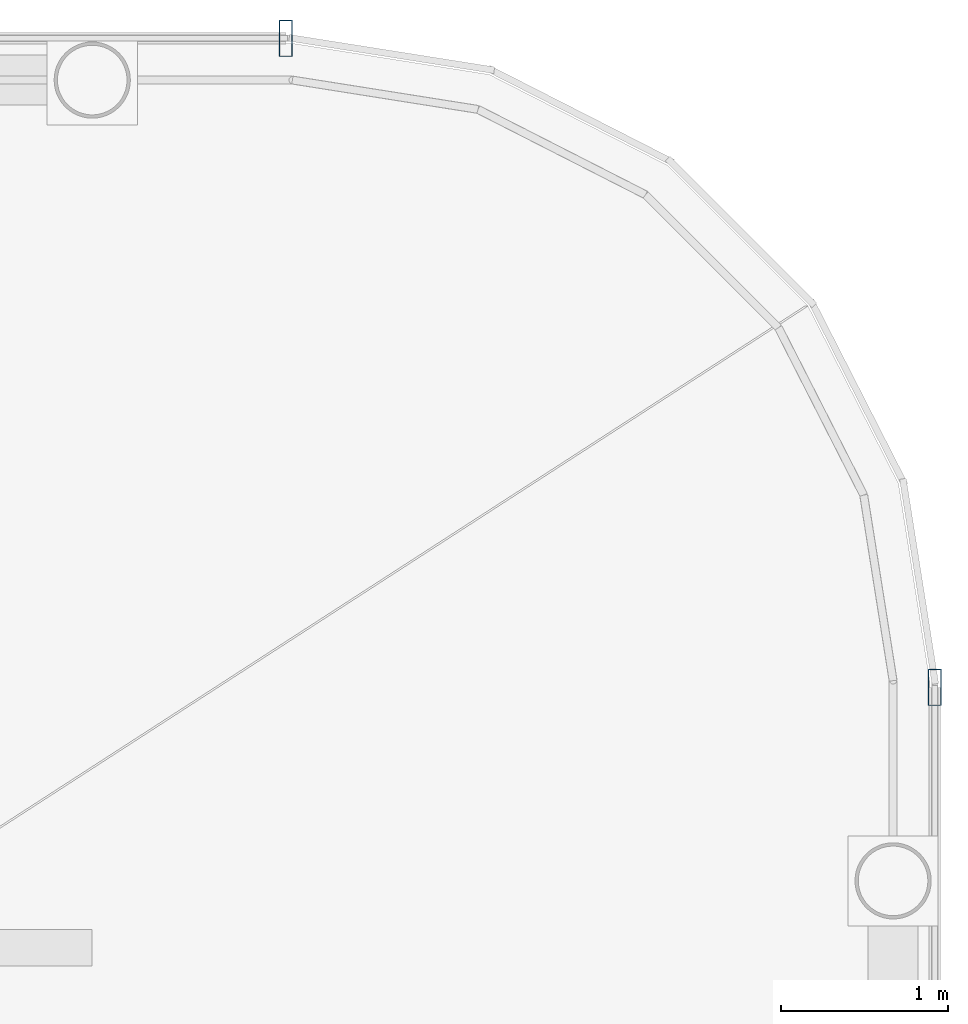
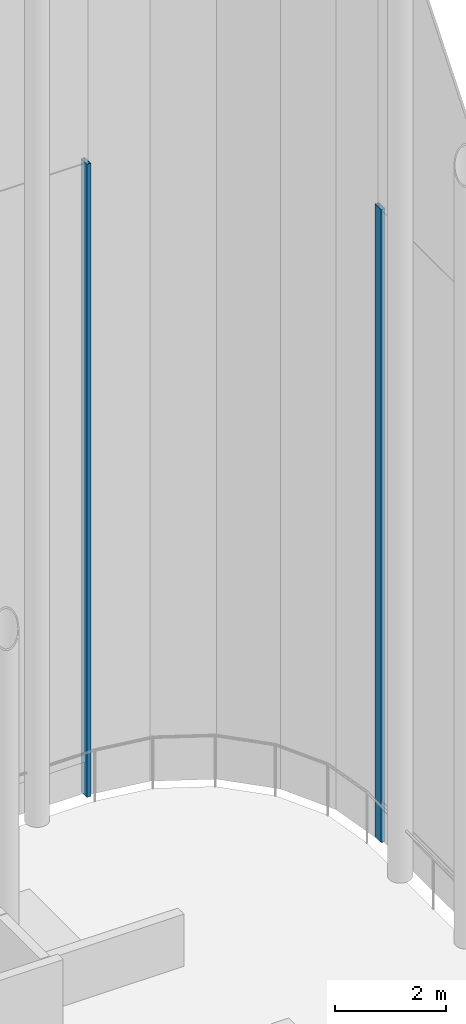
# One storey, part 34 of 42: 2 members, 2 elements without a shape of their own.
"""IFC4 building model written with IfcOpenShell, lengths in metres."""

from ifc_helpers import new_model, si_unit, direction, frame, origin, origin_2d, place, context, subcontext, project, spatial, hollow_rectangle, extrude, material, layer, layer_set, material_profile, profile_set, type_object, element, aggregate, save


model = new_model("IFC4")

# Units and contexts
model_context = context("Model", 3, precision=1e-05, world=origin(), true_north=direction((0.0, 1.0)))
body_context = subcontext(model_context, "Body", "Model", "MODEL_VIEW")
ifc_project = project(units=[si_unit("LENGTHUNIT", "METRE"), si_unit("AREAUNIT", "SQUARE_METRE"), si_unit("VOLUMEUNIT", "CUBIC_METRE"), si_unit("PLANEANGLEUNIT", "RADIAN"), si_unit("MASSUNIT", "GRAM", prefix="KILO")], contexts=[model_context])

# Site, building, storey
site_placement = place(None, origin())
site = spatial("IfcSite", under=ifc_project, at=site_placement, CompositionType="ELEMENT")
building_placement = place(site_placement, origin())
building = spatial("IfcBuilding", under=site, at=building_placement, Name="Kallvorn Hotel Tower", CompositionType="ELEMENT")
storey_placement = place(building_placement, frame((0.0, 0.0, 306.0)))
storey = spatial("IfcBuildingStorey", under=building, at=storey_placement, Name="ROOF", CompositionType="ELEMENT", Elevation=306.0)

# Curtain wall, member
ifc_material_1 = material(Name="Thermally broken black-anodised aluminium AA 6063-T6", Category="aluminium")
ifc_layer = layer(ifc_material_1, 0.18994140625)
ifc_layer_set = layer_set([ifc_layer], Name="CW_SYS_7_CROWN_DRUM")
curtain_wall_type = type_object("IfcCurtainWallType", Name="CW_SYS_7_CROWN_DRUM", PredefinedType="USERDEFINED", material=ifc_layer_set)
curtain_wall_1_placement = place(storey_placement, origin())
curtain_wall_1 = element("IfcCurtainWall", 1, at=curtain_wall_1_placement, inside=storey, type_object=curtain_wall_type, Name="ROOF Dark-Glass Curtain Wall CW-ROOF-N2", ObjectType="UNITISED CURTAIN WALL", PredefinedType="USERDEFINED")
ifc_material_2 = material(Name="Thermally broken black-anodised aluminium AA 6063-T6", Category="aluminium")
ifc_material_profile = material_profile(ifc_material_2, hollow_rectangle(XDim=0.080078125, YDim=0.219970703125, WallThickness=0.0048828125, at=origin_2d()), Name="MUL 220x80")
ifc_profile_set = profile_set([ifc_material_profile], Name="Thermally broken black-anodised aluminium AA 6063-T6")
member_type = type_object("IfcMemberType", Name="CW_MULLION_220x80", PredefinedType="MULLION", material=ifc_profile_set)
member_1_placement = place(storey_placement, frame((20.360107421875, 14.64990234375, 0.02001953125), z_axis=(0.0, 0.0, 1.0), x_axis=(1.0, 0.0, 0.0)))
member_1 = element("IfcMember", 2, at=member_1_placement, type_object=member_type, Name="CW-ROOF-N2 Mullion 03", PredefinedType="MULLION", context=body_context, shape_type="SweptSolid", body=[
    extrude(hollow_rectangle(XDim=0.080078125, YDim=0.219970703125, WallThickness=0.0048828125, at=origin_2d()), origin(), (0.0, 0.0, 1.0), 13.9599609375),
])
aggregate(curtain_wall_1, [member_1])

curtain_wall_2_placement = place(storey_placement, origin())
curtain_wall_2 = element("IfcCurtainWall", 3, at=curtain_wall_2_placement, inside=storey, type_object=curtain_wall_type, Name="ROOF Dark-Glass Curtain Wall CW-ROOF-E1", ObjectType="UNITISED CURTAIN WALL", PredefinedType="USERDEFINED")
member_2_placement = place(storey_placement, frame((24.25, 10.760009765625, 0.02001953125), z_axis=(0.0, 0.0, 1.0), x_axis=(1.0, 0.0, 0.0)))
member_2 = element("IfcMember", 4, at=member_2_placement, type_object=member_type, Name="CW-ROOF-E1 Mullion 03", PredefinedType="MULLION", context=body_context, shape_type="SweptSolid", body=[
    extrude(hollow_rectangle(XDim=0.080078125, YDim=0.219970703125, WallThickness=0.0048828125, at=origin_2d()), origin(), (0.0, 0.0, 1.0), 13.9599609375),
])
aggregate(curtain_wall_2, [member_2])

save(model, "model.ifc")
